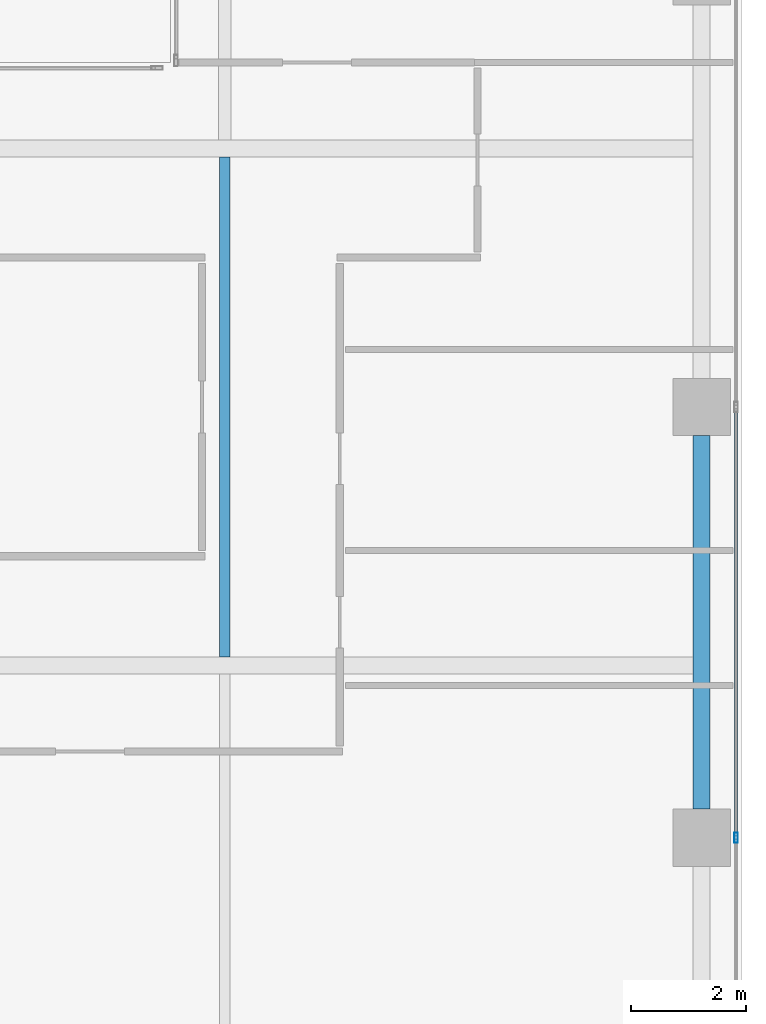
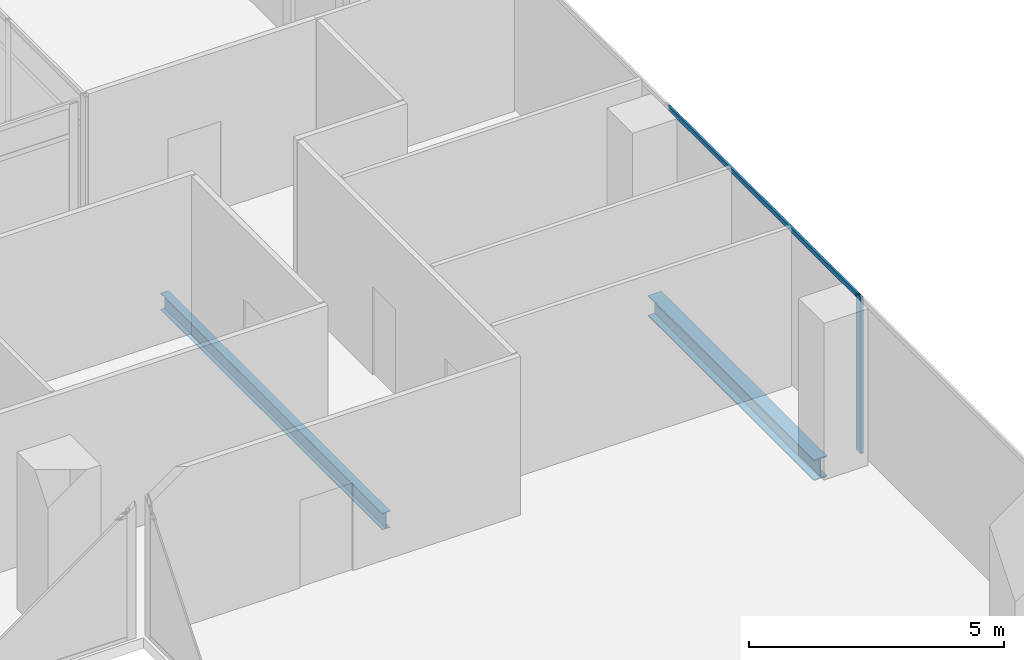
# One storey, part 15 of 40: 2 beams, 2 members, 1 element without a shape of its own.
"""IFC4 building model written with IfcOpenShell, lengths in metres."""

from ifc_helpers import new_model, si_unit, direction, frame, origin, origin_2d, place, context, subcontext, project, spatial, hollow_rectangle, i_section, extrude, source, transform, mapped, material, material_profile, profile_set, type_object, element, aggregate, save


model = new_model("IFC4")

# Units and contexts
model_context = context("Model", 3, precision=1e-05, world=origin(), true_north=direction((0.0, 1.0)))
body_context = subcontext(model_context, "Body", "Model", "MODEL_VIEW")
ifc_project = project(units=[si_unit("LENGTHUNIT", "METRE"), si_unit("AREAUNIT", "SQUARE_METRE"), si_unit("VOLUMEUNIT", "CUBIC_METRE"), si_unit("PLANEANGLEUNIT", "RADIAN"), si_unit("MASSUNIT", "GRAM", prefix="KILO")], contexts=[model_context])

# Site, building, storey
site_placement = place(None, origin())
site = spatial("IfcSite", under=ifc_project, at=site_placement, CompositionType="ELEMENT")
building_placement = place(site_placement, origin())
building = spatial("IfcBuilding", under=site, at=building_placement, Name="Khomas Fold Tower", CompositionType="ELEMENT")
storey_placement = place(building_placement, frame((0.0, 0.0, 184.699951171875)))
storey = spatial("IfcBuildingStorey", under=building, at=storey_placement, Name="L40", CompositionType="ELEMENT", Elevation=184.699951171875)

# Beams
ifc_material_1 = material(Name="Steel S355", Category="steel")
ifc_material_profile_1 = material_profile(ifc_material_1, i_section(OverallWidth=0.179931640625, OverallDepth=0.39990234375, WebThickness=0.008544921875, FlangeThickness=0.013427734375, at=origin_2d()), Name="IPE 400")
ifc_profile_set_1 = profile_set([ifc_material_profile_1], Name="Steel S355")
beam_type_1 = type_object("IfcBeamType", Name="IPE 400 beam JB3", PredefinedType="BEAM", material=ifc_profile_set_1)
shared_shape_1 = source(origin(), body_context, "Body", "SweptSolid", [
    extrude(i_section(OverallWidth=0.179931640625, OverallDepth=0.39990234375, WebThickness=0.008544921875, FlangeThickness=0.013427734375, at=origin_2d()), origin(), (0.0, 0.0, 1.0), 8.7001953125),
])
beam_1_placement = place(storey_placement, frame((42.0, 22.64990234375, -0.449951171875), z_axis=(0.0, 1.0, 0.0), x_axis=(-1.0, 0.0, 0.0)))
element("IfcBeam", 1, at=beam_1_placement, inside=storey, type_object=beam_type_1, Name="JB3", PredefinedType="BEAM", context=body_context, shape_type="MappedRepresentation", body=[
    mapped(shared_shape_1, transform((0.0, 0.0, 0.0))),
])
ifc_material_2 = material(Name="Steel S355", Category="steel")
ifc_material_profile_2 = material_profile(ifc_material_2, i_section(OverallWidth=0.300048828125, OverallDepth=0.5, WebThickness=0.014404296875, FlangeThickness=0.028076171875, at=origin_2d()), Name="HE 500 B")
ifc_profile_set_2 = profile_set([ifc_material_profile_2], Name="Steel S355")
beam_type_2 = type_object("IfcBeamType", Name="HE 500 B spandrel SB3", PredefinedType="SPANDREL", material=ifc_profile_set_2)
shared_shape_2 = source(origin(), body_context, "Body", "SweptSolid", [
    extrude(i_section(OverallWidth=0.300048828125, OverallDepth=0.5, WebThickness=0.014404296875, FlangeThickness=0.028076171875, at=origin_2d()), origin(), (0.0, 0.0, 1.0), 6.5),
])
beam_2_placement = place(storey_placement, frame((50.300048828125, 20.0, -0.5), z_axis=(0.0, 1.0, 0.0), x_axis=(-1.0, 0.0, 0.0)))
element("IfcBeam", 2, at=beam_2_placement, inside=storey, type_object=beam_type_2, Name="SB3", PredefinedType="SPANDREL", context=body_context, shape_type="MappedRepresentation", body=[
    mapped(shared_shape_2, transform((0.0, 0.0, 0.0))),
])

# Curtain wall, members
ifc_material_3 = material(Name="Aluminium framed double glazing", Category="aluminium")
curtain_wall_type = type_object("IfcCurtainWallType", Name="SK-Unitised clear-glass wall, office floors CW2", PredefinedType="NOTDEFINED", material=ifc_material_3)
curtain_wall_placement = place(storey_placement, origin())
curtain_wall = element("IfcCurtainWall", 3, at=curtain_wall_placement, inside=storey, type_object=curtain_wall_type, Name="CW2 run L40 08-0", PredefinedType="NOTDEFINED")
ifc_material_4 = material(Name="Aluminium", Category="aluminium")
ifc_material_profile_3 = material_profile(ifc_material_4, hollow_rectangle(XDim=0.06005859375, YDim=0.179931640625, WallThickness=0.00390625, at=origin_2d()), Name="SK-Unitised clear-glass wall, office floors mullion CW2-M")
ifc_profile_set_3 = profile_set([ifc_material_profile_3], Name="Aluminium")
member_type_1 = type_object("IfcMemberType", Name="SK-Unitised clear-glass wall, office floors mullion CW2-M", PredefinedType="MULLION", material=ifc_profile_set_3)
shared_shape_3 = source(origin(), body_context, "Body", "SweptSolid", [
    extrude(hollow_rectangle(XDim=0.06005859375, YDim=0.179931640625, WallThickness=0.00390625, at=origin_2d()), origin(), (0.0, 0.0, 1.0), 3.75),
])
member_1_placement = place(storey_placement, frame((50.89990234375, 19.5, 0.0), z_axis=(0.0, 0.0, 1.0), x_axis=(-1.0, 0.0, 0.0)))
member_1 = element("IfcMember", 4, at=member_1_placement, type_object=member_type_1, Name="CW2 mullion 4", PredefinedType="MULLION", context=body_context, shape_type="MappedRepresentation", body=[
    mapped(shared_shape_3, transform((0.0, 0.0, 0.0))),
])
ifc_material_5 = material(Name="Aluminium", Category="aluminium")
ifc_material_profile_4 = material_profile(ifc_material_5, hollow_rectangle(XDim=0.050048828125, YDim=0.110107421875, WallThickness=0.00390625, at=origin_2d()), Name="SK-Unitised clear-glass wall, office floors transom CW2-T")
ifc_profile_set_4 = profile_set([ifc_material_profile_4], Name="Aluminium")
member_type_2 = type_object("IfcMemberType", Name="SK-Unitised clear-glass wall, office floors transom CW2-T", PredefinedType="USERDEFINED", material=ifc_profile_set_4)
shared_shape_4 = source(origin(), body_context, "Body", "SweptSolid", [
    extrude(hollow_rectangle(XDim=0.050048828125, YDim=0.110107421875, WallThickness=0.00390625, at=origin_2d()), origin(), (0.0, 0.0, 1.0), 7.43994140625),
])
member_2_placement = place(storey_placement, frame((50.89990234375, 19.530029296875, 3.695068359375), z_axis=(0.0, 1.0, 0.0), x_axis=(-1.0, 0.0, 0.0)))
member_2 = element("IfcMember", 5, at=member_2_placement, type_object=member_type_2, Name="CW2 transom 4", ObjectType="TRANSOM", PredefinedType="USERDEFINED", context=body_context, shape_type="MappedRepresentation", body=[
    mapped(shared_shape_4, transform((0.0, 0.0, 0.0))),
])
aggregate(curtain_wall, [member_1, member_2])

save(model, "model.ifc")
